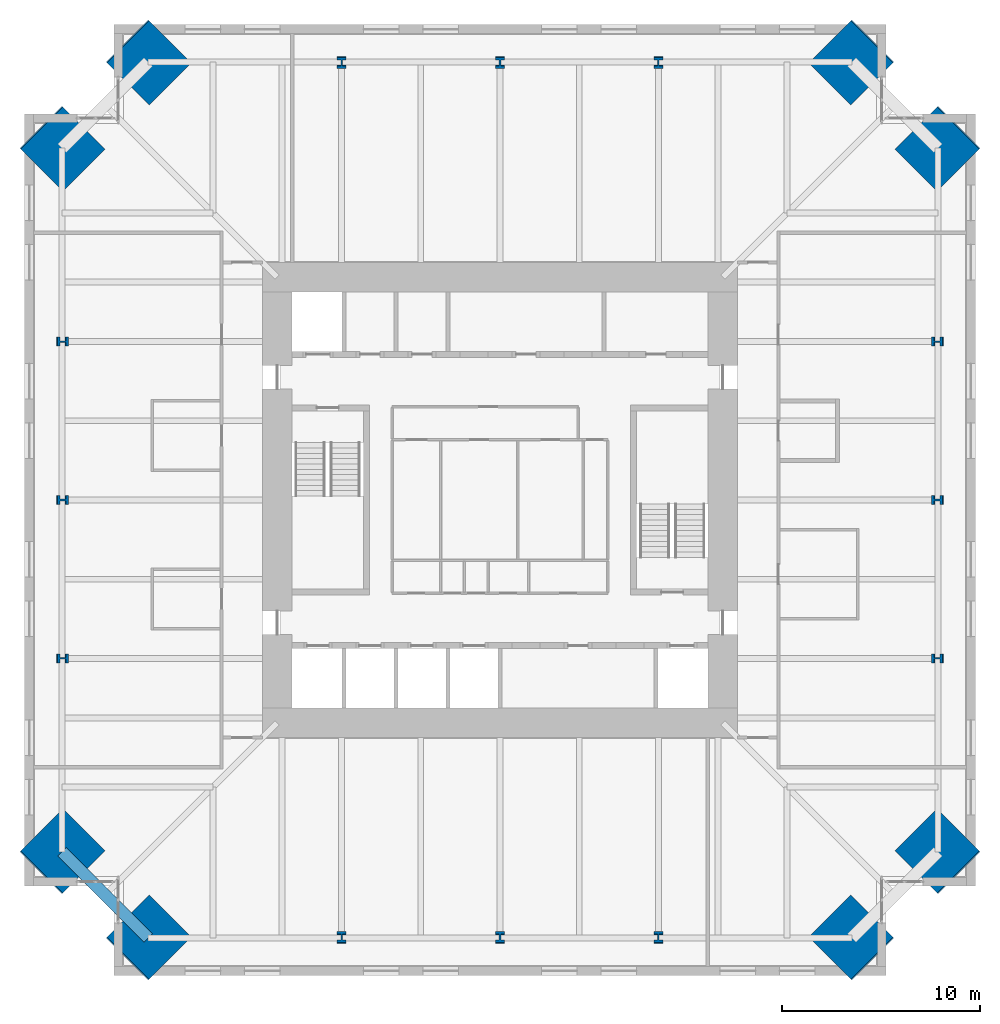
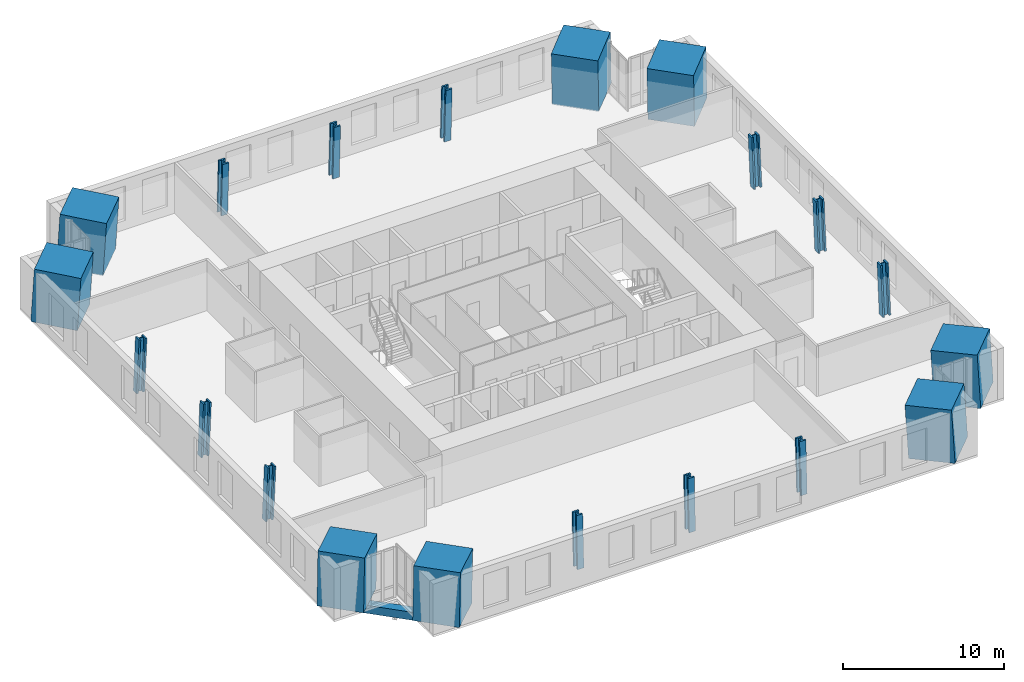
# One storey, part 1 of 15: 20 columns, 1 beam.
"""IFC4 building model written with IfcOpenShell, lengths in metres."""

from ifc_helpers import new_model, si_unit, direction, frame, origin, origin_2d, place, context, subcontext, project, spatial, rectangle, hollow_rectangle, i_section, extrude, material, material_profile, profile_set, type_object, element, save


model = new_model("IFC4")

# Units and contexts
model_context = context("Model", 3, precision=1e-05, world=origin(), true_north=direction((0.0, 1.0)))
body_context = subcontext(model_context, "Body", "Model", "MODEL_VIEW")
ifc_project = project(units=[si_unit("LENGTHUNIT", "METRE"), si_unit("AREAUNIT", "SQUARE_METRE"), si_unit("VOLUMEUNIT", "CUBIC_METRE"), si_unit("PLANEANGLEUNIT", "RADIAN"), si_unit("MASSUNIT", "GRAM", prefix="KILO")], contexts=[model_context])

# Site, building, storey
site_placement = place(None, origin())
site = spatial("IfcSite", under=ifc_project, at=site_placement, CompositionType="ELEMENT")
building_placement = place(site_placement, origin())
building = spatial("IfcBuilding", under=site, at=building_placement, Name="Peilmerk Tower", CompositionType="ELEMENT")
storey_placement = place(building_placement, frame((0.0, 0.0, 217.800048828125)))
storey = spatial("IfcBuildingStorey", under=building, at=storey_placement, Name="L47", CompositionType="ELEMENT", Elevation=217.800048828125)

# Columns
ifc_material_1 = material(Name="Concrete C90/105", Category="concrete")
ifc_material_profile_1 = material_profile(ifc_material_1, rectangle(XDim=3.0, YDim=3.0, at=origin_2d()), Name="RC 3000x3000")
ifc_profile_set_1 = profile_set([ifc_material_profile_1], Name="Concrete C90/105")
column_type_1 = type_object("IfcColumnType", Name="MC3 3000x3000 encased mega column", PredefinedType="COLUMN", material=ifc_profile_set_1)
for number, where, z_axis, x_axis, name in (
    (1, (17.764404296875, 22.114501953125, 0.0), (-0.040217894151, -0.040278830354, 0.998378754189), (0.707641859868, -0.706571297296, 0.0), "Mega column MC3 NE_N L47"),
    (2, (22.114501953125, 17.764404296875, 0.0), (-0.040278830354, -0.040217894151, 0.998378754189), (0.706571297296, -0.707641859868, 0.0), "Mega column MC3 NE_E L47"),
    (3, (22.114501953125, -17.764404296875, 0.0), (-0.040278830354, 0.040217894151, 0.998378754189), (-0.706571297296, -0.707641859868, 0.0), "Mega column MC3 SE_E L47"),
    (4, (17.764404296875, -22.114501953125, 0.0), (-0.040217894151, 0.040278830354, 0.998378754189), (-0.707641859868, -0.706571297296, 0.0), "Mega column MC3 SE_S L47"),
    (5, (-17.764404296875, -22.114501953125, 0.0), (0.040217894151, 0.040278830354, 0.998378754189), (-0.707641859868, 0.706571297296, 0.0), "Mega column MC3 SW_S L47"),
    (6, (-22.114501953125, -17.764404296875, 0.0), (0.040278830354, 0.040217894151, 0.998378754189), (-0.706571297296, 0.707641859868, 0.0), "Mega column MC3 SW_W L47"),
    (7, (-22.114501953125, 17.764404296875, 0.0), (0.040278830354, -0.040217894151, 0.998378754189), (0.706571297296, 0.707641859868, 0.0), "Mega column MC3 NW_W L47"),
    (8, (-17.764404296875, 22.114501953125, 0.0), (0.040217894151, -0.040278830354, 0.998378754189), (0.707641859868, 0.706571297296, 0.0), "Mega column MC3 NW_N L47"),
):
    element("IfcColumn", number, at=place(storey_placement, frame(where, z_axis=z_axis, x_axis=x_axis)), inside=storey, type_object=column_type_1, Name=name, PredefinedType="COLUMN", context=body_context, shape_type="SweptSolid", body=[
        extrude(rectangle(XDim=3.0, YDim=3.0, at=origin_2d()), origin(), (0.0, 0.0, 1.0), 4.006591796875),
    ])
ifc_material_2 = material(Name="Steel S460", Category="steel")
ifc_material_profile_2 = material_profile(ifc_material_2, i_section(OverallWidth=0.4541015625, OverallDepth=0.569091796875, WebThickness=0.077880859375, FlangeThickness=0.125, at=origin_2d()), Name="HD 400x1086")
ifc_profile_set_2 = profile_set([ifc_material_profile_2], Name="Steel S460")
column_type_2 = type_object("IfcColumnType", Name="SC6 HD 400x1086 interior column", PredefinedType="COLUMN", material=ifc_profile_set_2)
for number, where, z_axis, x_axis, name in (
    (9, (0.0, 22.114501953125, 0.0), (0.0, -0.040311445006, 0.999187163349), (1.0, 0.0, 0.0), "Perimeter column N+0 L47"),
    (10, (8.0, 22.114501953125, 0.0), (0.0, -0.040311445006, 0.999187163349), (1.0, 0.0, 0.0), "Perimeter column N-8 L47"),
    (11, (-8.0, 22.114501953125, 0.0), (0.0, -0.040311445006, 0.999187163349), (1.0, 0.0, 0.0), "Perimeter column N+8 L47"),
    (12, (22.114501953125, 0.0, 0.0), (-0.040311445006, 0.0, 0.999187163349), (0.0, -1.0, 0.0), "Perimeter column E+0 L47"),
    (13, (22.114501953125, -8.0, 0.0), (-0.040311445006, 0.0, 0.999187163349), (0.0, -1.0, 0.0), "Perimeter column E-8 L47"),
    (14, (22.114501953125, 8.0, 0.0), (-0.040311445006, 0.0, 0.999187163349), (0.0, -1.0, 0.0), "Perimeter column E+8 L47"),
    (15, (0.0, -22.114501953125, 0.0), (0.0, 0.040311445006, 0.999187163349), (-1.0, 0.0, 0.0), "Perimeter column S+0 L47"),
    (16, (-8.0, -22.114501953125, 0.0), (0.0, 0.040311445006, 0.999187163349), (-1.0, 0.0, 0.0), "Perimeter column S-8 L47"),
    (17, (8.0, -22.114501953125, 0.0), (0.0, 0.040311445006, 0.999187163349), (-1.0, 0.0, 0.0), "Perimeter column S+8 L47"),
    (18, (-22.114501953125, 0.0, 0.0), (0.040311445006, 0.0, 0.999187163349), (0.0, 1.0, 0.0), "Perimeter column W+0 L47"),
    (19, (-22.114501953125, 8.0, 0.0), (0.040311445006, 0.0, 0.999187163349), (0.0, 1.0, 0.0), "Perimeter column W-8 L47"),
    (20, (-22.114501953125, -8.0, 0.0), (0.040311445006, 0.0, 0.999187163349), (0.0, 1.0, 0.0), "Perimeter column W+8 L47"),
):
    element("IfcColumn", number, at=place(storey_placement, frame(where, z_axis=z_axis, x_axis=x_axis)), inside=storey, type_object=column_type_2, Name=name, PredefinedType="COLUMN", context=body_context, shape_type="SweptSolid", body=[
        extrude(i_section(OverallWidth=0.4541015625, OverallDepth=0.569091796875, WebThickness=0.077880859375, FlangeThickness=0.125, at=origin_2d()), origin(), (0.0, 0.0, 1.0), 4.003173828125),
    ])

# Beam
ifc_material_profile_3 = material_profile(ifc_material_2, hollow_rectangle(XDim=0.60009765625, YDim=0.60009765625, WallThickness=0.06005859375, at=origin_2d()), Name="BOX 600x600x60")
ifc_profile_set_3 = profile_set([ifc_material_profile_3], Name="Steel S460")
beam_type = type_object("IfcBeamType", Name="B20 BOX 600x600x60 notch beam", PredefinedType="SPANDREL", material=ifc_profile_set_3)
beam_placement = place(storey_placement, frame((-17.764404296875, -22.114501953125, -0.469970703125), z_axis=(-0.707106781187, 0.707106781187, 0.0), x_axis=(-0.707106781187, -0.707106781187, 0.0)))
element("IfcBeam", 21, at=beam_placement, inside=storey, type_object=beam_type, Name="Notch beam L47", PredefinedType="SPANDREL", context=body_context, shape_type="SweptSolid", body=[
    extrude(hollow_rectangle(XDim=0.60009765625, YDim=0.60009765625, WallThickness=0.06005859375, at=origin_2d()), origin(), (0.0, 0.0, 1.0), 6.15185546875),
])

save(model, "model.ifc")
